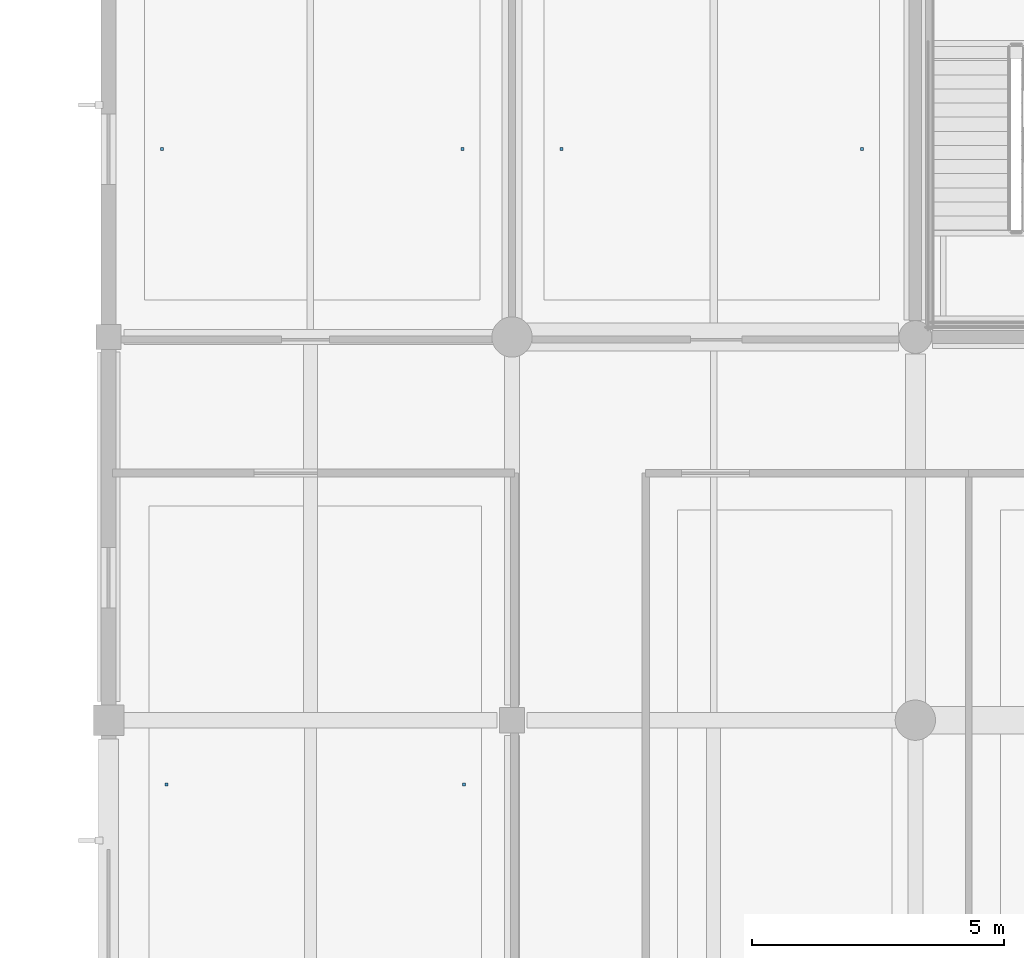
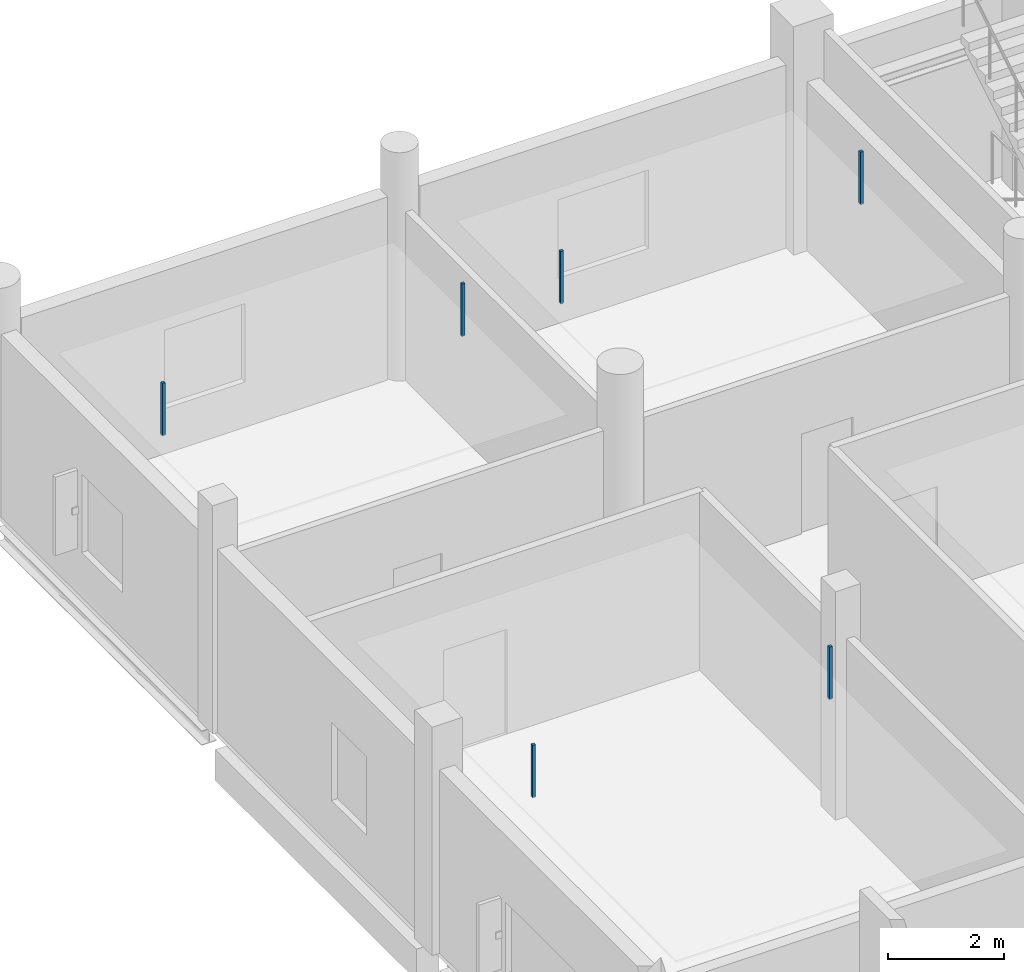
# One storey, part 119 of 147: 6 discrete accessories.
"""IFC4 building model written with IfcOpenShell, lengths in metres."""

import ifcopenshell
import ifcopenshell.guid

model = None  # the IFC model being written
_history = None  # IfcOwnerHistory: only IFC2X3 demands one
_inside = {}  # id of a spatial element -> (the spatial element, [elements in it])
_under = {}  # id of a project, library or spatial element -> (it, [spatial elements below it])
_declared = {}  # id of a project -> (the project, [libraries it declares])
_typed = {}  # id of a type object -> (the type object, [elements of that type])
_made_of = {}  # id of a material, layer set ... -> (it, [elements and type objects made of it])


def new_model(schema):
    """Start an empty IFC model of exactly this schema.

    Asked for "IFC4X3", IfcOpenShell would pick the latest addendum, in which some entities
    have other attributes; the version numbers below select the first issue.
    IFC2X3 requires an IfcOwnerHistory on every rooted entity: one is made here for all.
    """
    global model, _history
    if schema == "IFC4X3":
        model = ifcopenshell.file(schema_version=(4, 3, 0, 0))
    else:
        model = ifcopenshell.file(schema=schema)
    _inside.clear()
    _under.clear()
    _declared.clear()
    _typed.clear()
    _made_of.clear()
    _history = None
    if model.schema == "IFC2X3":
        org = make("IfcOrganization", Name="unknown")
        user = make(
            "IfcPersonAndOrganization",
            ThePerson=make("IfcPerson", FamilyName="unknown"),
            TheOrganization=org,
        )
        app = make(
            "IfcApplication",
            ApplicationDeveloper=org,
            Version="unknown",
            ApplicationFullName="unknown",
            ApplicationIdentifier="unknown",
        )
        _history = make(
            "IfcOwnerHistory",
            OwningUser=user,
            OwningApplication=app,
            ChangeAction="ADDED",
            CreationDate=0,
        )
    return model


def make(cls, **values):
    """One entity of the class cls with the attributes given. An attribute that is None is left unset."""
    return model.create_entity(
        cls, **{name: value for name, value in values.items() if value is not None}
    )


def rooted(cls, **values):
    """An entity with a GlobalId (a new one), such as an element, a storey or a relation."""
    return make(cls, GlobalId=ifcopenshell.guid.new(), OwnerHistory=_history, **values)


def si_unit(unit_type, name, prefix=None):
    """IfcSIUnit, for example si_unit("LENGTHUNIT", "METRE", prefix="MILLI")."""
    return make("IfcSIUnit", UnitType=unit_type, Prefix=prefix, Name=name)


def assignment(units):
    """IfcUnitAssignment: the units of a project."""
    return None if units is None else make("IfcUnitAssignment", Units=units)


def point(xyz):
    """IfcCartesianPoint."""
    return None if xyz is None else make("IfcCartesianPoint", Coordinates=xyz)


def direction(xyz):
    """IfcDirection."""
    return None if xyz is None else make("IfcDirection", DirectionRatios=xyz)


def frame(location, z_axis=None, x_axis=None):
    """IfcAxis2Placement3D, a coordinate frame: its origin and axes. An axis left out is left unset."""
    return make(
        "IfcAxis2Placement3D",
        Location=point(location),
        Axis=direction(z_axis),
        RefDirection=direction(x_axis),
    )


def frame_2d(location, x_axis=None):
    """IfcAxis2Placement2D, a coordinate frame in the plane: its origin and x axis."""
    return make(
        "IfcAxis2Placement2D", Location=point(location), RefDirection=direction(x_axis)
    )


def origin():
    """The frame at (0, 0, 0) with its axes left unset."""
    return frame((0.0, 0.0, 0.0))


def origin_2d():
    """The frame at (0, 0) in the plane with its x axis left unset."""
    return frame_2d((0.0, 0.0))


def place(relative_to, where):
    """IfcLocalPlacement: puts the frame where relative to a parent placement (None: the world)."""
    return make(
        "IfcLocalPlacement", PlacementRelTo=relative_to, RelativePlacement=where
    )


def context(
    kind, dimensions, precision=None, world=None, true_north=None, identifier=None
):
    """IfcGeometricRepresentationContext, for example the 3D "Model" context."""
    return make(
        "IfcGeometricRepresentationContext",
        ContextIdentifier=identifier,
        ContextType=kind,
        CoordinateSpaceDimension=dimensions,
        Precision=precision,
        WorldCoordinateSystem=world,
        TrueNorth=true_north,
    )


def subcontext(parent, identifier, kind, view, scale=None):
    """IfcGeometricRepresentationSubContext, for example "Body" below "Model"."""
    return make(
        "IfcGeometricRepresentationSubContext",
        ContextIdentifier=identifier,
        ContextType=kind,
        ParentContext=parent,
        TargetScale=scale,
        TargetView=view,
    )


def project(units=None, contexts=None):
    """IfcProject with its units and contexts."""
    return rooted(
        "IfcProject",
        Name="project",
        RepresentationContexts=contexts,
        UnitsInContext=assignment(units),
    )


def spatial(cls, under=None, at=None, **own):
    """A site, building, storey or space (cls), placed at a placement, below another one or the project."""
    s = rooted(cls, ObjectPlacement=at, **own)
    if under is not None:
        _under.setdefault(under.id(), (under, []))[1].append(s)
    return s


def profile(cls, at=None, kind="AREA", **sizes):
    """A parametric profile (cls). Its sizes go by their IFC names, for example OverallWidth=200.0."""
    return make(cls, ProfileType=kind, Position=at, **sizes)


def rectangle(**sizes):
    """IfcRectangleProfileDef."""
    return profile("IfcRectangleProfileDef", **sizes)


def extrude(swept, where, along, depth):
    """IfcExtrudedAreaSolid: the profile swept, set in the frame where, extruded along a direction by depth."""
    return make(
        "IfcExtrudedAreaSolid",
        SweptArea=swept,
        Position=where,
        ExtrudedDirection=direction(along),
        Depth=depth,
    )


def shape(context_of_items, identifier, shape_type, items):
    """IfcShapeRepresentation: the items that make up one representation, for example the "Body"."""
    return make(
        "IfcShapeRepresentation",
        ContextOfItems=context_of_items,
        RepresentationIdentifier=identifier,
        RepresentationType=shape_type,
        Items=items,
    )


def material(Name=None, Category=None):
    """IfcMaterial."""
    return make("IfcMaterial", Name=Name, Category=Category)


def made_of(thing, what):
    """Note that an element or type object is made of a material, layer set ...; save() writes the relation."""
    if what is not None:
        _made_of.setdefault(what.id(), (what, []))[1].append(thing)
    return thing


def type_object(cls, material=None, **own):
    """A type object (cls), such as IfcWallType, which elements share."""
    return made_of(rooted(cls, **own), material)


def element(
    cls,
    number,
    at=None,
    inside=None,
    cuts=None,
    type_object=None,
    material=None,
    context=None,
    identifier="Body",
    shape_type=None,
    held_by="IfcProductDefinitionShape",
    body=None,
    shapes=None,
    **own,
):
    """One element of the class cls, such as IfcWall. Its Tag is "e" and its number.

    at: its placement. inside: the storey or other place that contains it. cuts: it is an
    opening in that element (IfcRelVoidsElement). A single representation is given by context,
    identifier, shape_type and body (its items); several are given by shapes. held_by: the class
    of the entity that holds the representations. save() writes the other relations.
    """
    e = rooted(cls, Tag="e%d" % number, ObjectPlacement=at, **own)
    if body is not None:
        shapes = [shape(context, identifier, shape_type, body)]
    if shapes is not None:
        e.Representation = make(held_by, Representations=shapes)
    if inside is not None:
        _inside.setdefault(inside.id(), (inside, []))[1].append(e)
    if cuts is not None:
        rooted(
            "IfcRelVoidsElement", RelatingBuildingElement=cuts, RelatedOpeningElement=e
        )
    if type_object is not None:
        _typed.setdefault(type_object.id(), (type_object, []))[1].append(e)
    return made_of(e, material)


def aggregate(whole, parts):
    """IfcRelAggregates: a whole, such as a stair, and the parts it consists of."""
    return rooted("IfcRelAggregates", RelatingObject=whole, RelatedObjects=parts)


def save(model, path):
    """Write the relations noted so far, then the file.

    IfcRelAggregates (storeys below a building ...), IfcRelContainedInSpatialStructure (elements
    in a storey), IfcRelDefinesByType, IfcRelAssociatesMaterial and IfcRelDeclares: one each for
    every whole, place, type object, material and project.
    """
    for whole, parts in _under.values():
        aggregate(whole, parts)
    for where, things in _inside.values():
        rooted(
            "IfcRelContainedInSpatialStructure",
            RelatedElements=things,
            RelatingStructure=where,
        )
    for kind, things in _typed.values():
        rooted("IfcRelDefinesByType", RelatedObjects=things, RelatingType=kind)
    for what, things in _made_of.values():
        rooted("IfcRelAssociatesMaterial", RelatedObjects=things, RelatingMaterial=what)
    for by, libraries in _declared.values():
        rooted("IfcRelDeclares", RelatingContext=by, RelatedDefinitions=libraries)
    model.write(path)


model = new_model("IFC4")

# Units and contexts
model_context = context("Model", 3, precision=1e-05, world=origin(), true_north=direction((0.0, 1.0)))
body_context = subcontext(model_context, "Body", "Model", "MODEL_VIEW")
ifc_project = project(units=[si_unit("LENGTHUNIT", "METRE"), si_unit("AREAUNIT", "SQUARE_METRE"), si_unit("VOLUMEUNIT", "CUBIC_METRE"), si_unit("PLANEANGLEUNIT", "RADIAN"), si_unit("MASSUNIT", "GRAM", prefix="KILO")], contexts=[model_context])

# Site, building, storey
site_placement = place(None, origin())
site = spatial("IfcSite", under=ifc_project, at=site_placement, CompositionType="ELEMENT")
building_placement = place(site_placement, origin())
building = spatial("IfcBuilding", under=site, at=building_placement, Name="Khelvaren Railside Concert Hall", CompositionType="ELEMENT")
storey_placement = place(building_placement, frame((0.0, 0.0, 5.39990234375)))
storey = spatial("IfcBuildingStorey", under=building, at=storey_placement, Name="L01", CompositionType="ELEMENT", Elevation=5.39990234375)

# Discrete accessories
ifc_material = material(Name="Galvanised steel acoustic ceiling hanger rod", Category="steel")
discrete_accessory_type = type_object("IfcDiscreteAccessoryType", Name="BRK62", PredefinedType="BRACKET", material=ifc_material)
for number, where, z_axis, x_axis, name in (
    (1, (129.14990234375, 97.52490234375, 3.429931640625), (0.0, 0.0, 1.0), (1.0, 0.0, 0.0), "Acoustic Ceiling Suspension Bracket 136-1"),
    (2, (135.050048828125, 97.52490234375, 3.429931640625), (0.0, 0.0, 1.0), (1.0, 0.0, 0.0), "Acoustic Ceiling Suspension Bracket 136-2"),
    (3, (129.06005859375, 110.125, 3.429931640625), (0.0, 0.0, 1.0), (1.0, 0.0, 0.0), "Acoustic Ceiling Suspension Bracket 142-1"),
    (4, (135.02001953125, 110.125, 3.429931640625), (0.0, 0.0, 1.0), (1.0, 0.0, 0.0), "Acoustic Ceiling Suspension Bracket 142-2"),
    (5, (136.97998046875, 110.125, 3.429931640625), (0.0, 0.0, 1.0), (1.0, 0.0, 0.0), "Acoustic Ceiling Suspension Bracket 143-1"),
    (6, (142.93994140625, 110.125, 3.429931640625), (0.0, 0.0, 1.0), (1.0, 0.0, 0.0), "Acoustic Ceiling Suspension Bracket 143-2"),
):
    element("IfcDiscreteAccessory", number, at=place(storey_placement, frame(where, z_axis=z_axis, x_axis=x_axis)), inside=storey, type_object=discrete_accessory_type, Name=name, PredefinedType="BRACKET", context=body_context, shape_type="SweptSolid", body=[
        extrude(rectangle(XDim=0.06005859375, YDim=0.06005859375, at=origin_2d()), origin(), (0.0, 0.0, 1.0), 1.10009765625),
    ])

save(model, "model.ifc")
